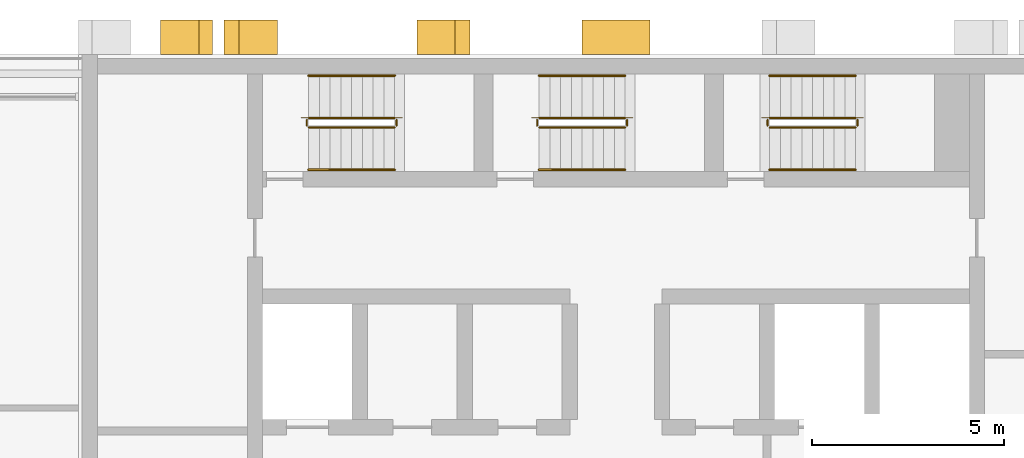
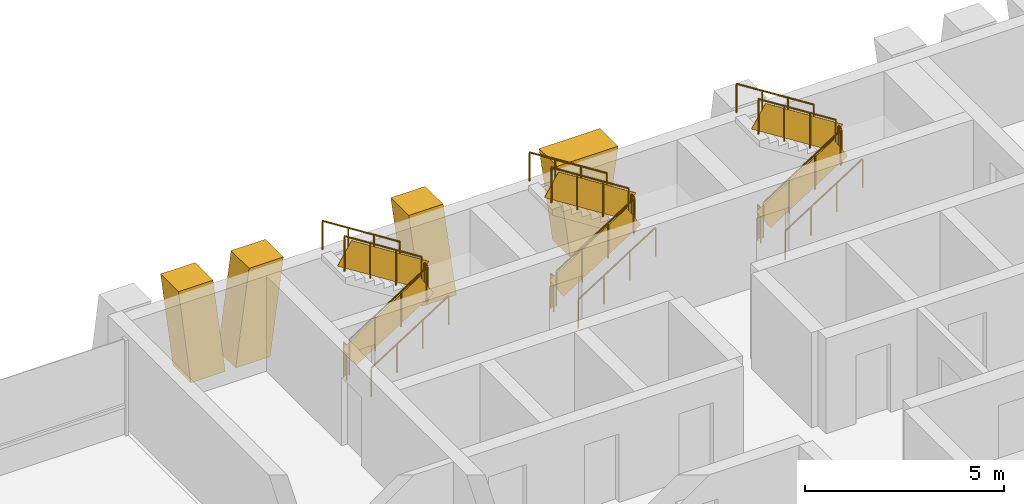
# One storey, part 15 of 16: 18 railings, 4 shading devices.
"""IFC4 building model written with IfcOpenShell, lengths in metres."""

from ifc_helpers import new_model, si_unit, direction, frame, origin, origin_2d, place, context, subcontext, project, spatial, polyline, rectangle, circle, outline, extrude, material, layer, layer_set, type_object, element, save


model = new_model("IFC4")

# Units and contexts
model_context = context("Model", 3, precision=1e-05, world=origin(), true_north=direction((0.0, 1.0)))
body_context = subcontext(model_context, "Body", "Model", "MODEL_VIEW")
ifc_project = project(units=[si_unit("LENGTHUNIT", "METRE"), si_unit("AREAUNIT", "SQUARE_METRE"), si_unit("VOLUMEUNIT", "CUBIC_METRE"), si_unit("PLANEANGLEUNIT", "RADIAN"), si_unit("MASSUNIT", "GRAM", prefix="KILO")], contexts=[model_context])

# Site, building, storey
site_placement = place(None, origin())
site = spatial("IfcSite", under=ifc_project, at=site_placement, CompositionType="ELEMENT")
building_placement = place(site_placement, origin())
building = spatial("IfcBuilding", under=site, at=building_placement, Name="Vidyagriha Tower", CompositionType="ELEMENT")
storey_placement = place(building_placement, frame((0.0, 0.0, 187.699951171875)))
storey = spatial("IfcBuildingStorey", under=building, at=storey_placement, Name="L49", CompositionType="ELEMENT", Elevation=187.699951171875)

# Shading devices
ifc_material_1 = material(Name="Precast concrete C40/50 with brick facing", Category="concrete")
ifc_layer_1 = layer(ifc_material_1, 1.0)
ifc_layer_set_1 = layer_set([ifc_layer_1], Name="Precast concrete C40/50 with brick facing")
shading_device_type_1 = type_object("IfcShadingDeviceType", Name="Brick-faced rear rib arm leaning 8 degrees", PredefinedType="USERDEFINED", material=ifc_layer_set_1)
shading_device_1_placement = place(storey_placement, frame((-8.814208984375, 20.449951171875, 0.0), z_axis=(0.0, 0.0, 1.0), x_axis=(-1.0, 0.0, 0.0)))
element("IfcShadingDevice", 1, at=shading_device_1_placement, inside=storey, type_object=shading_device_type_1, Name="Rear rib arm L49 R08.4a", ObjectType="BLADE FIN", PredefinedType="USERDEFINED", context=body_context, shape_type="SweptSolid", body=[
    extrude(outline(polyline([(0.3857421875, 0.0), (1.3857421875, 0.0), (1.0, 2.920166015625), (0.0, 2.920166015625), (0.3857421875, 0.0)])), frame((0.0, 0.449951171875, 0.0), z_axis=(0.0, -1.0, 0.0), x_axis=(1.0, 0.0, 0.0)), (0.0, 0.0, 1.0), 0.89990234375),
])
shading_device_2_placement = place(storey_placement, frame((-3.800048828125, 20.449951171875, 0.0), z_axis=(0.0, 0.0, 1.0), x_axis=(-1.0, 0.0, 0.0)))
element("IfcShadingDevice", 2, at=shading_device_2_placement, inside=storey, type_object=shading_device_type_1, Name="Rear rib arm L49 R08.4b", ObjectType="BLADE FIN", PredefinedType="USERDEFINED", context=body_context, shape_type="SweptSolid", body=[
    extrude(outline(polyline([(0.0, 0.0), (1.0, 0.0), (1.3857421875, 2.920166015625), (0.3857421875, 2.920166015625), (0.0, 0.0)])), frame((0.0, 0.449951171875, 0.0), z_axis=(0.0, -1.0, 0.0), x_axis=(1.0, 0.0, 0.0)), (0.0, 0.0, 1.0), 0.89990234375),
])
shading_device_3_placement = place(storey_placement, frame((-10.5, 20.449951171875, 0.0), z_axis=(0.0, 0.0, 1.0), x_axis=(-1.0, 0.0, 0.0)))
element("IfcShadingDevice", 3, at=shading_device_3_placement, inside=storey, type_object=shading_device_type_1, Name="Rear rib arm L49 R08.5b", ObjectType="BLADE FIN", PredefinedType="USERDEFINED", context=body_context, shape_type="SweptSolid", body=[
    extrude(outline(polyline([(0.0, 0.0), (1.0, 0.0), (1.357177734375, 2.920166015625), (0.357177734375, 2.920166015625), (0.0, 0.0)])), frame((0.0, 0.449951171875, 0.0), z_axis=(0.0, -1.0, 0.0), x_axis=(1.0, 0.0, 0.0)), (0.0, 0.0, 1.0), 0.89990234375),
])
ifc_material_2 = material(Name="Precast concrete C40/50 with brick facing", Category="concrete")
ifc_layer_2 = layer(ifc_material_2, 1.0)
ifc_layer_set_2 = layer_set([ifc_layer_2], Name="Precast concrete C40/50 with brick facing")
shading_device_type_2 = type_object("IfcShadingDeviceType", Name="Brick-faced rear rib forking 8 degrees", PredefinedType="USERDEFINED", material=ifc_layer_set_2)
shading_device_4_placement = place(storey_placement, frame((0.8857421875, 20.449951171875, 0.0), z_axis=(0.0, 0.0, 1.0), x_axis=(-1.0, 0.0, 0.0)))
element("IfcShadingDevice", 4, at=shading_device_4_placement, inside=storey, type_object=shading_device_type_2, Name="Rear rib fork L49 R08.3a", ObjectType="BLADE FIN", PredefinedType="USERDEFINED", context=body_context, shape_type="SweptSolid", body=[
    extrude(outline(polyline([(0.3857421875, 0.0), (1.3857421875, 0.0), (1.771484375, 2.920166015625), (0.0, 2.920166015625), (0.3857421875, 0.0)])), frame((0.0, 0.449951171875, 0.0), z_axis=(0.0, -1.0, 0.0), x_axis=(1.0, 0.0, 0.0)), (0.0, 0.0, 1.0), 0.89990234375),
])

# Railings
ifc_material_3 = material(Name="Steel ASTM A500 Grade C", Category="steel")
railing_type_1 = type_object("IfcRailingType", Name="Stair guard 1100 mm, steel balustrade", PredefinedType="GUARDRAIL", material=ifc_material_3)
railing_1_placement = place(storey_placement, frame((-8.0, 18.10009765625, 0.177734375)))
element("IfcRailing", 5, at=railing_1_placement, inside=storey, type_object=railing_type_1, Name="L49 ST1 stair guard 1", PredefinedType="GUARDRAIL", context=body_context, shape_type="SweptSolid", body=[
    extrude(circle(Radius=0.02392578125, at=origin_2d()), frame((0.0, 0.0, 1.076171875), z_axis=(0.84418770128, 0.0, 0.536047689118), x_axis=(0.0, 1.0, 0.0)), (0.0, 0.0, 1.0), 2.6533203125),
    extrude(circle(Radius=0.02099609375, at=origin_2d()), origin(), (0.0, 0.0, 1.0), 1.052001953125),
    extrude(circle(Radius=0.02099609375, at=origin_2d()), frame((0.74658203125, 0.0, 0.47412109375)), (0.0, 0.0, 1.0), 1.052001953125),
    extrude(circle(Radius=0.02099609375, at=origin_2d()), frame((1.493408203125, 0.0, 0.9482421875)), (0.0, 0.0, 1.0), 1.052001953125),
    extrude(circle(Radius=0.02099609375, at=origin_2d()), frame((2.239990234375, 0.0, 1.42236328125)), (0.0, 0.0, 1.0), 1.052001953125),
    extrude(rectangle(XDim=0.010009765625, YDim=0.761474609375, at=origin_2d()), frame((0.0, 0.0, 0.551025390625), z_axis=(0.84418770128, 0.0, 0.536047689118), x_axis=(0.0, 1.0, 0.0)), (0.0, 0.0, 1.0), 2.6533203125),
])
railing_2_placement = place(storey_placement, frame((-5.7099609375, 18.14990234375, 1.60009765625)))
element("IfcRailing", 6, at=railing_2_placement, inside=storey, type_object=railing_type_1, Name="L49 ST1 stair guard 2", PredefinedType="GUARDRAIL", context=body_context, shape_type="SweptSolid", body=[
    extrude(circle(Radius=0.02392578125, at=origin_2d()), frame((0.0, 0.0, 1.076171875), z_axis=(0.0, 1.0, 0.0), x_axis=(-1.0, 0.0, 0.0)), (0.0, 0.0, 1.0), 0.150146484375),
    extrude(circle(Radius=0.02099609375, at=origin_2d()), origin(), (0.0, 0.0, 1.0), 1.052001953125),
    extrude(circle(Radius=0.02099609375, at=origin_2d()), frame((0.0, 0.150146484375, 0.0)), (0.0, 0.0, 1.0), 1.052001953125),
    extrude(rectangle(XDim=0.010009765625, YDim=0.902099609375, at=origin_2d()), frame((0.0, 0.0, 0.551025390625), z_axis=(0.0, 1.0, 0.0), x_axis=(-1.0, 0.0, 0.0)), (0.0, 0.0, 1.0), 0.150146484375),
])
railing_3_placement = place(storey_placement, frame((-5.760009765625, 18.35009765625, 1.77783203125)))
element("IfcRailing", 7, at=railing_3_placement, inside=storey, type_object=railing_type_1, Name="L49 ST1 stair guard 3", PredefinedType="GUARDRAIL", context=body_context, shape_type="SweptSolid", body=[
    extrude(circle(Radius=0.02392578125, at=origin_2d()), frame((0.0, 0.0, 1.076171875), z_axis=(-0.8442293374, 0.0, 0.53598211339), x_axis=(0.0, -1.0, 0.0)), (0.0, 0.0, 1.0), 2.6533203125),
    extrude(circle(Radius=0.02099609375, at=origin_2d()), origin(), (0.0, 0.0, 1.0), 1.052001953125),
    extrude(circle(Radius=0.02099609375, at=origin_2d()), frame((-0.74658203125, 0.0, 0.47412109375)), (0.0, 0.0, 1.0), 1.052001953125),
    extrude(circle(Radius=0.02099609375, at=origin_2d()), frame((-1.493408203125, 0.0, 0.947998046875)), (0.0, 0.0, 1.0), 1.052001953125),
    extrude(circle(Radius=0.02099609375, at=origin_2d()), frame((-2.239990234375, 0.0, 1.422119140625)), (0.0, 0.0, 1.0), 1.052001953125),
    extrude(rectangle(XDim=0.010009765625, YDim=0.761474609375, at=origin_2d()), frame((0.0, 0.0, 0.551025390625), z_axis=(-0.8442293374, 0.0, 0.53598211339), x_axis=(0.0, -1.0, 0.0)), (0.0, 0.0, 1.0), 2.6533203125),
])
railing_4_placement = place(storey_placement, frame((-8.050048828125, 18.14990234375, 0.0)))
element("IfcRailing", 8, at=railing_4_placement, inside=storey, type_object=railing_type_1, Name="L49 ST1 stair guard 4", PredefinedType="GUARDRAIL", context=body_context, shape_type="SweptSolid", body=[
    extrude(circle(Radius=0.02392578125, at=origin_2d()), frame((0.0, 0.0, 1.076171875), z_axis=(0.0, 1.0, 0.0), x_axis=(-1.0, 0.0, 0.0)), (0.0, 0.0, 1.0), 0.150146484375),
    extrude(circle(Radius=0.02099609375, at=origin_2d()), origin(), (0.0, 0.0, 1.0), 1.052001953125),
    extrude(circle(Radius=0.02099609375, at=origin_2d()), frame((0.0, 0.150146484375, 0.0)), (0.0, 0.0, 1.0), 1.052001953125),
    extrude(rectangle(XDim=0.010009765625, YDim=0.902099609375, at=origin_2d()), frame((0.0, 0.0, 0.551025390625), z_axis=(0.0, 1.0, 0.0), x_axis=(-1.0, 0.0, 0.0)), (0.0, 0.0, 1.0), 0.150146484375),
])
railing_5_placement = place(storey_placement, frame((-2.0, 18.10009765625, 0.177734375)))
element("IfcRailing", 9, at=railing_5_placement, inside=storey, type_object=railing_type_1, Name="L49 ST2 stair guard 1", PredefinedType="GUARDRAIL", context=body_context, shape_type="SweptSolid", body=[
    extrude(circle(Radius=0.02392578125, at=origin_2d()), frame((0.0, 0.0, 1.076171875), z_axis=(0.84418770128, 0.0, 0.536047689118), x_axis=(0.0, 1.0, 0.0)), (0.0, 0.0, 1.0), 2.6533203125),
    extrude(circle(Radius=0.02099609375, at=origin_2d()), origin(), (0.0, 0.0, 1.0), 1.052001953125),
    extrude(circle(Radius=0.02099609375, at=origin_2d()), frame((0.74658203125, 0.0, 0.47412109375)), (0.0, 0.0, 1.0), 1.052001953125),
    extrude(circle(Radius=0.02099609375, at=origin_2d()), frame((1.493408203125, 0.0, 0.9482421875)), (0.0, 0.0, 1.0), 1.052001953125),
    extrude(circle(Radius=0.02099609375, at=origin_2d()), frame((2.239990234375, 0.0, 1.42236328125)), (0.0, 0.0, 1.0), 1.052001953125),
    extrude(rectangle(XDim=0.010009765625, YDim=0.761474609375, at=origin_2d()), frame((0.0, 0.0, 0.551025390625), z_axis=(0.84418770128, 0.0, 0.536047689118), x_axis=(0.0, 1.0, 0.0)), (0.0, 0.0, 1.0), 2.6533203125),
])
railing_6_placement = place(storey_placement, frame((0.2900390625, 18.14990234375, 1.60009765625)))
element("IfcRailing", 10, at=railing_6_placement, inside=storey, type_object=railing_type_1, Name="L49 ST2 stair guard 2", PredefinedType="GUARDRAIL", context=body_context, shape_type="SweptSolid", body=[
    extrude(circle(Radius=0.02392578125, at=origin_2d()), frame((0.0, 0.0, 1.076171875), z_axis=(0.0, 1.0, 0.0), x_axis=(-1.0, 0.0, 0.0)), (0.0, 0.0, 1.0), 0.150146484375),
    extrude(circle(Radius=0.02099609375, at=origin_2d()), origin(), (0.0, 0.0, 1.0), 1.052001953125),
    extrude(circle(Radius=0.02099609375, at=origin_2d()), frame((0.0, 0.150146484375, 0.0)), (0.0, 0.0, 1.0), 1.052001953125),
    extrude(rectangle(XDim=0.010009765625, YDim=0.902099609375, at=origin_2d()), frame((0.0, 0.0, 0.551025390625), z_axis=(0.0, 1.0, 0.0), x_axis=(-1.0, 0.0, 0.0)), (0.0, 0.0, 1.0), 0.150146484375),
])
railing_7_placement = place(storey_placement, frame((0.239990234375, 18.35009765625, 1.77783203125)))
element("IfcRailing", 11, at=railing_7_placement, inside=storey, type_object=railing_type_1, Name="L49 ST2 stair guard 3", PredefinedType="GUARDRAIL", context=body_context, shape_type="SweptSolid", body=[
    extrude(circle(Radius=0.02392578125, at=origin_2d()), frame((0.0, 0.0, 1.076171875), z_axis=(-0.8442293374, 0.0, 0.53598211339), x_axis=(0.0, -1.0, 0.0)), (0.0, 0.0, 1.0), 2.6533203125),
    extrude(circle(Radius=0.02099609375, at=origin_2d()), origin(), (0.0, 0.0, 1.0), 1.052001953125),
    extrude(circle(Radius=0.02099609375, at=origin_2d()), frame((-0.74658203125, 0.0, 0.47412109375)), (0.0, 0.0, 1.0), 1.052001953125),
    extrude(circle(Radius=0.02099609375, at=origin_2d()), frame((-1.493408203125, 0.0, 0.947998046875)), (0.0, 0.0, 1.0), 1.052001953125),
    extrude(circle(Radius=0.02099609375, at=origin_2d()), frame((-2.239990234375, 0.0, 1.422119140625)), (0.0, 0.0, 1.0), 1.052001953125),
    extrude(rectangle(XDim=0.010009765625, YDim=0.761474609375, at=origin_2d()), frame((0.0, 0.0, 0.551025390625), z_axis=(-0.8442293374, 0.0, 0.53598211339), x_axis=(0.0, -1.0, 0.0)), (0.0, 0.0, 1.0), 2.6533203125),
])
railing_8_placement = place(storey_placement, frame((-2.050048828125, 18.14990234375, 0.0)))
element("IfcRailing", 12, at=railing_8_placement, inside=storey, type_object=railing_type_1, Name="L49 ST2 stair guard 4", PredefinedType="GUARDRAIL", context=body_context, shape_type="SweptSolid", body=[
    extrude(circle(Radius=0.02392578125, at=origin_2d()), frame((0.0, 0.0, 1.076171875), z_axis=(0.0, 1.0, 0.0), x_axis=(-1.0, 0.0, 0.0)), (0.0, 0.0, 1.0), 0.150146484375),
    extrude(circle(Radius=0.02099609375, at=origin_2d()), origin(), (0.0, 0.0, 1.0), 1.052001953125),
    extrude(circle(Radius=0.02099609375, at=origin_2d()), frame((0.0, 0.150146484375, 0.0)), (0.0, 0.0, 1.0), 1.052001953125),
    extrude(rectangle(XDim=0.010009765625, YDim=0.902099609375, at=origin_2d()), frame((0.0, 0.0, 0.551025390625), z_axis=(0.0, 1.0, 0.0), x_axis=(-1.0, 0.0, 0.0)), (0.0, 0.0, 1.0), 0.150146484375),
])
railing_9_placement = place(storey_placement, frame((4.0, 18.10009765625, 0.177734375)))
element("IfcRailing", 13, at=railing_9_placement, inside=storey, type_object=railing_type_1, Name="L49 ST3 stair guard 1", PredefinedType="GUARDRAIL", context=body_context, shape_type="SweptSolid", body=[
    extrude(circle(Radius=0.02392578125, at=origin_2d()), frame((0.0, 0.0, 1.076171875), z_axis=(0.84418770128, 0.0, 0.536047689118), x_axis=(0.0, 1.0, 0.0)), (0.0, 0.0, 1.0), 2.6533203125),
    extrude(circle(Radius=0.02099609375, at=origin_2d()), origin(), (0.0, 0.0, 1.0), 1.052001953125),
    extrude(circle(Radius=0.02099609375, at=origin_2d()), frame((0.74658203125, 0.0, 0.47412109375)), (0.0, 0.0, 1.0), 1.052001953125),
    extrude(circle(Radius=0.02099609375, at=origin_2d()), frame((1.493408203125, 0.0, 0.9482421875)), (0.0, 0.0, 1.0), 1.052001953125),
    extrude(circle(Radius=0.02099609375, at=origin_2d()), frame((2.239990234375, 0.0, 1.42236328125)), (0.0, 0.0, 1.0), 1.052001953125),
    extrude(rectangle(XDim=0.010009765625, YDim=0.761474609375, at=origin_2d()), frame((0.0, 0.0, 0.551025390625), z_axis=(0.84418770128, 0.0, 0.536047689118), x_axis=(0.0, 1.0, 0.0)), (0.0, 0.0, 1.0), 2.6533203125),
])
railing_10_placement = place(storey_placement, frame((6.2900390625, 18.14990234375, 1.60009765625)))
element("IfcRailing", 14, at=railing_10_placement, inside=storey, type_object=railing_type_1, Name="L49 ST3 stair guard 2", PredefinedType="GUARDRAIL", context=body_context, shape_type="SweptSolid", body=[
    extrude(circle(Radius=0.02392578125, at=origin_2d()), frame((0.0, 0.0, 1.076171875), z_axis=(0.0, 1.0, 0.0), x_axis=(-1.0, 0.0, 0.0)), (0.0, 0.0, 1.0), 0.150146484375),
    extrude(circle(Radius=0.02099609375, at=origin_2d()), origin(), (0.0, 0.0, 1.0), 1.052001953125),
    extrude(circle(Radius=0.02099609375, at=origin_2d()), frame((0.0, 0.150146484375, 0.0)), (0.0, 0.0, 1.0), 1.052001953125),
    extrude(rectangle(XDim=0.010009765625, YDim=0.902099609375, at=origin_2d()), frame((0.0, 0.0, 0.551025390625), z_axis=(0.0, 1.0, 0.0), x_axis=(-1.0, 0.0, 0.0)), (0.0, 0.0, 1.0), 0.150146484375),
])
railing_11_placement = place(storey_placement, frame((6.239990234375, 18.35009765625, 1.77783203125)))
element("IfcRailing", 15, at=railing_11_placement, inside=storey, type_object=railing_type_1, Name="L49 ST3 stair guard 3", PredefinedType="GUARDRAIL", context=body_context, shape_type="SweptSolid", body=[
    extrude(circle(Radius=0.02392578125, at=origin_2d()), frame((0.0, 0.0, 1.076171875), z_axis=(-0.8442293374, 0.0, 0.53598211339), x_axis=(0.0, -1.0, 0.0)), (0.0, 0.0, 1.0), 2.6533203125),
    extrude(circle(Radius=0.02099609375, at=origin_2d()), origin(), (0.0, 0.0, 1.0), 1.052001953125),
    extrude(circle(Radius=0.02099609375, at=origin_2d()), frame((-0.74658203125, 0.0, 0.47412109375)), (0.0, 0.0, 1.0), 1.052001953125),
    extrude(circle(Radius=0.02099609375, at=origin_2d()), frame((-1.493408203125, 0.0, 0.947998046875)), (0.0, 0.0, 1.0), 1.052001953125),
    extrude(circle(Radius=0.02099609375, at=origin_2d()), frame((-2.239990234375, 0.0, 1.422119140625)), (0.0, 0.0, 1.0), 1.052001953125),
    extrude(rectangle(XDim=0.010009765625, YDim=0.761474609375, at=origin_2d()), frame((0.0, 0.0, 0.551025390625), z_axis=(-0.8442293374, 0.0, 0.53598211339), x_axis=(0.0, -1.0, 0.0)), (0.0, 0.0, 1.0), 2.6533203125),
])
railing_12_placement = place(storey_placement, frame((3.949951171875, 18.14990234375, 0.0)))
element("IfcRailing", 16, at=railing_12_placement, inside=storey, type_object=railing_type_1, Name="L49 ST3 stair guard 4", PredefinedType="GUARDRAIL", context=body_context, shape_type="SweptSolid", body=[
    extrude(circle(Radius=0.02392578125, at=origin_2d()), frame((0.0, 0.0, 1.076171875), z_axis=(0.0, 1.0, 0.0), x_axis=(-1.0, 0.0, 0.0)), (0.0, 0.0, 1.0), 0.150146484375),
    extrude(circle(Radius=0.02099609375, at=origin_2d()), origin(), (0.0, 0.0, 1.0), 1.052001953125),
    extrude(circle(Radius=0.02099609375, at=origin_2d()), frame((0.0, 0.150146484375, 0.0)), (0.0, 0.0, 1.0), 1.052001953125),
    extrude(rectangle(XDim=0.010009765625, YDim=0.902099609375, at=origin_2d()), frame((0.0, 0.0, 0.551025390625), z_axis=(0.0, 1.0, 0.0), x_axis=(-1.0, 0.0, 0.0)), (0.0, 0.0, 1.0), 0.150146484375),
])
ifc_material_4 = material(Name="Steel ASTM A500 Grade C", Category="steel")
railing_type_2 = type_object("IfcRailingType", Name="Stair handrail 900 mm, steel", PredefinedType="HANDRAIL", material=ifc_material_4)
railing_13_placement = place(storey_placement, frame((-8.0, 17.0, 0.177734375)))
element("IfcRailing", 17, at=railing_13_placement, inside=storey, type_object=railing_type_2, Name="L49 ST1 stair handrail 1", PredefinedType="HANDRAIL", context=body_context, shape_type="SweptSolid", body=[
    extrude(circle(Radius=0.02392578125, at=origin_2d()), frame((0.0, 0.0, 0.8759765625), z_axis=(0.84418770128, 0.0, 0.536047689118), x_axis=(0.0, 1.0, 0.0)), (0.0, 0.0, 1.0), 2.6533203125),
    extrude(circle(Radius=0.02099609375, at=origin_2d()), origin(), (0.0, 0.0, 1.0), 0.851806640625),
    extrude(circle(Radius=0.02099609375, at=origin_2d()), frame((0.74658203125, 0.0, 0.47412109375)), (0.0, 0.0, 1.0), 0.851806640625),
    extrude(circle(Radius=0.02099609375, at=origin_2d()), frame((1.493408203125, 0.0, 0.9482421875)), (0.0, 0.0, 1.0), 0.851806640625),
    extrude(circle(Radius=0.02099609375, at=origin_2d()), frame((2.239990234375, 0.0, 1.42236328125)), (0.0, 0.0, 1.0), 0.851806640625),
])
railing_14_placement = place(storey_placement, frame((-5.760009765625, 19.449951171875, 1.77783203125)))
element("IfcRailing", 18, at=railing_14_placement, inside=storey, type_object=railing_type_2, Name="L49 ST1 stair handrail 2", PredefinedType="HANDRAIL", context=body_context, shape_type="SweptSolid", body=[
    extrude(circle(Radius=0.02392578125, at=origin_2d()), frame((0.0, 0.0, 0.8759765625), z_axis=(-0.8442293374, 0.0, 0.53598211339), x_axis=(0.0, -1.0, 0.0)), (0.0, 0.0, 1.0), 2.6533203125),
    extrude(circle(Radius=0.02099609375, at=origin_2d()), origin(), (0.0, 0.0, 1.0), 0.851806640625),
    extrude(circle(Radius=0.02099609375, at=origin_2d()), frame((-0.74658203125, 0.0, 0.47412109375)), (0.0, 0.0, 1.0), 0.851806640625),
    extrude(circle(Radius=0.02099609375, at=origin_2d()), frame((-1.493408203125, 0.0, 0.947998046875)), (0.0, 0.0, 1.0), 0.851806640625),
    extrude(circle(Radius=0.02099609375, at=origin_2d()), frame((-2.239990234375, 0.0, 1.422119140625)), (0.0, 0.0, 1.0), 0.851806640625),
])
railing_15_placement = place(storey_placement, frame((-2.0, 17.0, 0.177734375)))
element("IfcRailing", 19, at=railing_15_placement, inside=storey, type_object=railing_type_2, Name="L49 ST2 stair handrail 1", PredefinedType="HANDRAIL", context=body_context, shape_type="SweptSolid", body=[
    extrude(circle(Radius=0.02392578125, at=origin_2d()), frame((0.0, 0.0, 0.8759765625), z_axis=(0.84418770128, 0.0, 0.536047689118), x_axis=(0.0, 1.0, 0.0)), (0.0, 0.0, 1.0), 2.6533203125),
    extrude(circle(Radius=0.02099609375, at=origin_2d()), origin(), (0.0, 0.0, 1.0), 0.851806640625),
    extrude(circle(Radius=0.02099609375, at=origin_2d()), frame((0.74658203125, 0.0, 0.47412109375)), (0.0, 0.0, 1.0), 0.851806640625),
    extrude(circle(Radius=0.02099609375, at=origin_2d()), frame((1.493408203125, 0.0, 0.9482421875)), (0.0, 0.0, 1.0), 0.851806640625),
    extrude(circle(Radius=0.02099609375, at=origin_2d()), frame((2.239990234375, 0.0, 1.42236328125)), (0.0, 0.0, 1.0), 0.851806640625),
])
railing_16_placement = place(storey_placement, frame((0.239990234375, 19.449951171875, 1.77783203125)))
element("IfcRailing", 20, at=railing_16_placement, inside=storey, type_object=railing_type_2, Name="L49 ST2 stair handrail 2", PredefinedType="HANDRAIL", context=body_context, shape_type="SweptSolid", body=[
    extrude(circle(Radius=0.02392578125, at=origin_2d()), frame((0.0, 0.0, 0.8759765625), z_axis=(-0.8442293374, 0.0, 0.53598211339), x_axis=(0.0, -1.0, 0.0)), (0.0, 0.0, 1.0), 2.6533203125),
    extrude(circle(Radius=0.02099609375, at=origin_2d()), origin(), (0.0, 0.0, 1.0), 0.851806640625),
    extrude(circle(Radius=0.02099609375, at=origin_2d()), frame((-0.74658203125, 0.0, 0.47412109375)), (0.0, 0.0, 1.0), 0.851806640625),
    extrude(circle(Radius=0.02099609375, at=origin_2d()), frame((-1.493408203125, 0.0, 0.947998046875)), (0.0, 0.0, 1.0), 0.851806640625),
    extrude(circle(Radius=0.02099609375, at=origin_2d()), frame((-2.239990234375, 0.0, 1.422119140625)), (0.0, 0.0, 1.0), 0.851806640625),
])
railing_17_placement = place(storey_placement, frame((4.0, 17.0, 0.177734375)))
element("IfcRailing", 21, at=railing_17_placement, inside=storey, type_object=railing_type_2, Name="L49 ST3 stair handrail 1", PredefinedType="HANDRAIL", context=body_context, shape_type="SweptSolid", body=[
    extrude(circle(Radius=0.02392578125, at=origin_2d()), frame((0.0, 0.0, 0.8759765625), z_axis=(0.84418770128, 0.0, 0.536047689118), x_axis=(0.0, 1.0, 0.0)), (0.0, 0.0, 1.0), 2.6533203125),
    extrude(circle(Radius=0.02099609375, at=origin_2d()), origin(), (0.0, 0.0, 1.0), 0.851806640625),
    extrude(circle(Radius=0.02099609375, at=origin_2d()), frame((0.74658203125, 0.0, 0.47412109375)), (0.0, 0.0, 1.0), 0.851806640625),
    extrude(circle(Radius=0.02099609375, at=origin_2d()), frame((1.493408203125, 0.0, 0.9482421875)), (0.0, 0.0, 1.0), 0.851806640625),
    extrude(circle(Radius=0.02099609375, at=origin_2d()), frame((2.239990234375, 0.0, 1.42236328125)), (0.0, 0.0, 1.0), 0.851806640625),
])
railing_18_placement = place(storey_placement, frame((6.239990234375, 19.449951171875, 1.77783203125)))
element("IfcRailing", 22, at=railing_18_placement, inside=storey, type_object=railing_type_2, Name="L49 ST3 stair handrail 2", PredefinedType="HANDRAIL", context=body_context, shape_type="SweptSolid", body=[
    extrude(circle(Radius=0.02392578125, at=origin_2d()), frame((0.0, 0.0, 0.8759765625), z_axis=(-0.8442293374, 0.0, 0.53598211339), x_axis=(0.0, -1.0, 0.0)), (0.0, 0.0, 1.0), 2.6533203125),
    extrude(circle(Radius=0.02099609375, at=origin_2d()), origin(), (0.0, 0.0, 1.0), 0.851806640625),
    extrude(circle(Radius=0.02099609375, at=origin_2d()), frame((-0.74658203125, 0.0, 0.47412109375)), (0.0, 0.0, 1.0), 0.851806640625),
    extrude(circle(Radius=0.02099609375, at=origin_2d()), frame((-1.493408203125, 0.0, 0.947998046875)), (0.0, 0.0, 1.0), 0.851806640625),
    extrude(circle(Radius=0.02099609375, at=origin_2d()), frame((-2.239990234375, 0.0, 1.422119140625)), (0.0, 0.0, 1.0), 0.851806640625),
])

save(model, "model.ifc")
